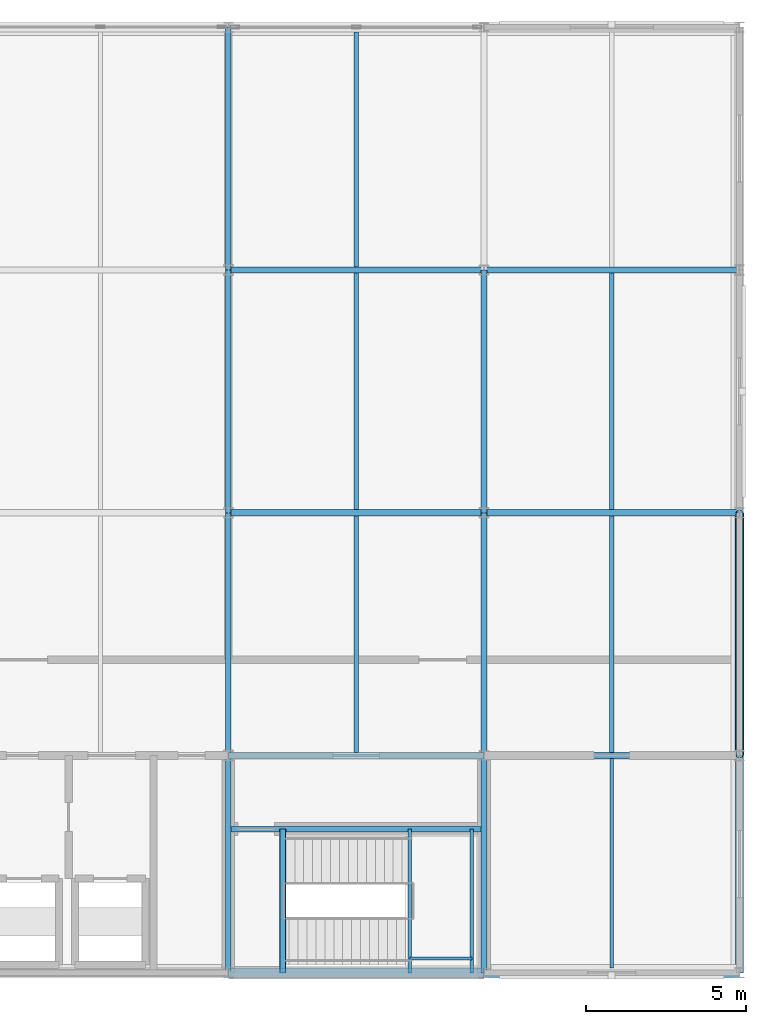
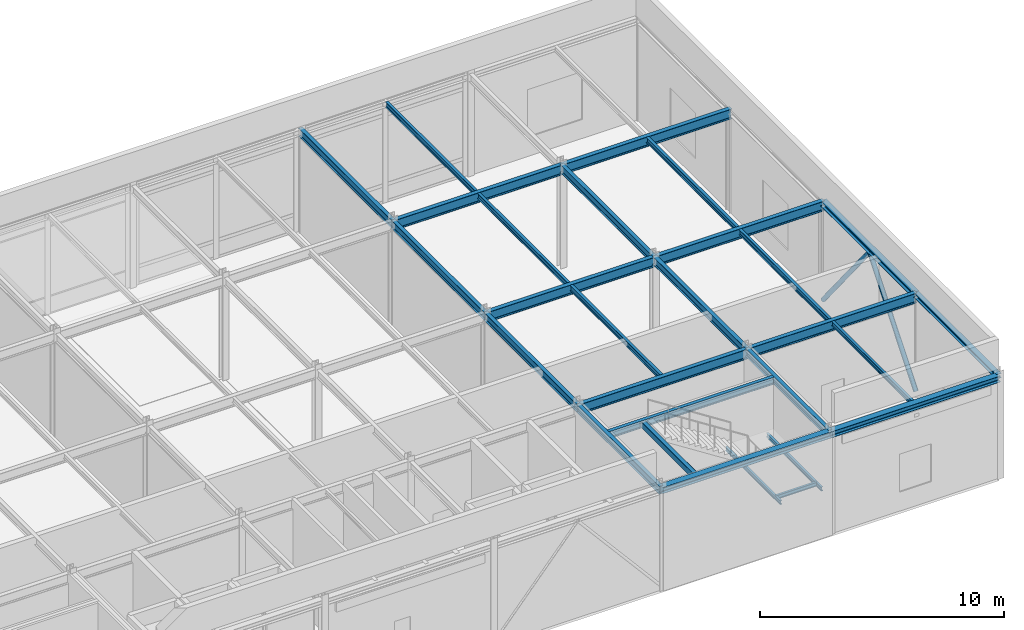
# One storey, part 6 of 12: 28 beams, 2 members.
"""IFC4 building model written with IfcOpenShell, lengths in metres."""

from ifc_helpers import new_model, si_unit, direction, frame, origin, origin_2d, place, context, subcontext, project, spatial, hollow_rectangle, hollow_circle, i_section, extrude, material, material_profile, profile_set, type_object, element, save


model = new_model("IFC4")

# Units and contexts
model_context = context("Model", 3, precision=1e-05, world=origin(), true_north=direction((0.0, 1.0)))
body_context = subcontext(model_context, "Body", "Model", "MODEL_VIEW")
ifc_project = project(units=[si_unit("LENGTHUNIT", "METRE"), si_unit("AREAUNIT", "SQUARE_METRE"), si_unit("VOLUMEUNIT", "CUBIC_METRE"), si_unit("PLANEANGLEUNIT", "RADIAN"), si_unit("MASSUNIT", "GRAM", prefix="KILO")], contexts=[model_context])

# Site, building, storey
site_placement = place(None, origin())
site = spatial("IfcSite", under=ifc_project, at=site_placement, CompositionType="ELEMENT")
building_placement = place(site_placement, origin())
building = spatial("IfcBuilding", under=site, at=building_placement, Name="Shalkamar Park Central Library", CompositionType="ELEMENT")
storey_placement = place(building_placement, frame((0.0, 0.0, 72.300048828125)))
storey = spatial("IfcBuildingStorey", under=building, at=storey_placement, Name="L18", CompositionType="ELEMENT", Elevation=72.300048828125)

# Beams
ifc_material = material(Name="Steel S355", Category="steel")
ifc_material_profile_1 = material_profile(ifc_material, i_section(OverallWidth=0.10009765625, OverallDepth=0.199951171875, WebThickness=0.005615234375, FlangeThickness=0.008544921875, FilletRadius=0.011962890625, at=origin_2d()), Name="IPE 200")
ifc_profile_set_1 = profile_set([ifc_material_profile_1], Name="Steel S355")
beam_type_1 = type_object("IfcBeamType", Name="Composite Floor Joist IPE200", PredefinedType="JOIST", material=ifc_profile_set_1)
for number, where, z_axis, x_axis, name in (
    (1, (202.679931640625, 248.39990234375, 2.320068359375), (0.0, 1.0, 0.0), (-1.0, 0.0, 0.0), "Stair Half-Landing Beam ST-T2-L18-1"),
    (2, (204.6201171875, 248.39990234375, 2.320068359375), (0.0, 1.0, 0.0), (-1.0, 0.0, 0.0), "Stair Half-Landing Beam ST-T2-L18-2"),
):
    element("IfcBeam", number, at=place(storey_placement, frame(where, z_axis=z_axis, x_axis=x_axis)), inside=storey, type_object=beam_type_1, Name=name, PredefinedType="JOIST", context=body_context, shape_type="SweptSolid", body=[
        extrude(i_section(OverallWidth=0.10009765625, OverallDepth=0.199951171875, WebThickness=0.005615234375, FlangeThickness=0.008544921875, FilletRadius=0.011962890625, at=origin_2d()), origin(), (0.0, 0.0, 1.0), 4.5),
    ])
beam_1_placement = place(storey_placement, frame((202.679931640625, 248.85009765625, 2.320068359375), z_axis=(1.0, 0.0, 0.0), x_axis=(0.0, 1.0, 0.0)))
element("IfcBeam", 3, at=beam_1_placement, inside=storey, type_object=beam_type_1, Name="Stair Half-Landing Cross Tie ST-T2-L18-3", PredefinedType="JOIST", context=body_context, shape_type="SweptSolid", body=[
    extrude(i_section(OverallWidth=0.10009765625, OverallDepth=0.199951171875, WebThickness=0.005615234375, FlangeThickness=0.008544921875, FilletRadius=0.011962890625, at=origin_2d()), origin(), (0.0, 0.0, 1.0), 1.940185546875),
])
ifc_material_profile_2 = material_profile(ifc_material, i_section(OverallWidth=0.1201171875, OverallDepth=0.239990234375, WebThickness=0.006103515625, FlangeThickness=0.009765625, FilletRadius=0.014892578125, at=origin_2d()), Name="IPE 240")
ifc_profile_set_2 = profile_set([ifc_material_profile_2], Name="Steel S355")
beam_type_2 = type_object("IfcBeamType", Name="Composite Floor Joist IPE240", PredefinedType="JOIST", material=ifc_profile_set_2)
beam_2_placement = place(storey_placement, frame((209.0, 248.548095703125, 5.030029296875), z_axis=(0.0, 1.0, 0.0), x_axis=(-1.0, 0.0, 0.0)))
element("IfcBeam", 4, at=beam_2_placement, inside=storey, type_object=beam_type_2, Name="Composite Joist 12/B-1 (L18)", PredefinedType="JOIST", context=body_context, shape_type="SweptSolid", body=[
    extrude(i_section(OverallWidth=0.1201171875, OverallDepth=0.239990234375, WebThickness=0.006103515625, FlangeThickness=0.009765625, FilletRadius=0.014892578125, at=origin_2d()), origin(), (0.0, 0.0, 1.0), 6.553955078125),
])
ifc_material_profile_3 = material_profile(ifc_material, i_section(OverallWidth=0.135009765625, OverallDepth=0.27001953125, WebThickness=0.006591796875, FlangeThickness=0.01025390625, FilletRadius=0.014892578125, at=origin_2d()), Name="IPE 270")
ifc_profile_set_3 = profile_set([ifc_material_profile_3], Name="Steel S355")
beam_type_3 = type_object("IfcBeamType", Name="Composite Floor Joist IPE270", PredefinedType="JOIST", material=ifc_profile_set_3)
beam_3_placement = place(storey_placement, frame((201.0, 255.298095703125, 5.014892578125), z_axis=(0.0, 1.0, 0.0), x_axis=(-1.0, 0.0, 0.0)))
element("IfcBeam", 5, at=beam_3_placement, inside=storey, type_object=beam_type_3, Name="Composite Joist 11/C-1 (L18)", PredefinedType="JOIST", context=body_context, shape_type="SweptSolid", body=[
    extrude(i_section(OverallWidth=0.135009765625, OverallDepth=0.27001953125, WebThickness=0.006591796875, FlangeThickness=0.01025390625, FilletRadius=0.014892578125, at=origin_2d()), origin(), (0.0, 0.0, 1.0), 7.40380859375),
])
beam_4_placement = place(storey_placement, frame((201.0, 262.89794921875, 5.014892578125), z_axis=(0.0, 1.0, 0.0), x_axis=(-1.0, 0.0, 0.0)))
element("IfcBeam", 6, at=beam_4_placement, inside=storey, type_object=beam_type_3, Name="Composite Joist 11/D-1 (L18)", PredefinedType="JOIST", context=body_context, shape_type="SweptSolid", body=[
    extrude(i_section(OverallWidth=0.135009765625, OverallDepth=0.27001953125, WebThickness=0.006591796875, FlangeThickness=0.01025390625, FilletRadius=0.014892578125, at=origin_2d()), origin(), (0.0, 0.0, 1.0), 7.404052734375),
])
beam_5_placement = place(storey_placement, frame((201.0, 270.498046875, 5.014892578125), z_axis=(0.0, 1.0, 0.0), x_axis=(-1.0, 0.0, 0.0)))
element("IfcBeam", 7, at=beam_5_placement, inside=storey, type_object=beam_type_3, Name="Composite Joist 11/E-1 (L18)", PredefinedType="JOIST", context=body_context, shape_type="SweptSolid", body=[
    extrude(i_section(OverallWidth=0.135009765625, OverallDepth=0.27001953125, WebThickness=0.006591796875, FlangeThickness=0.01025390625, FilletRadius=0.014892578125, at=origin_2d()), origin(), (0.0, 0.0, 1.0), 7.35400390625),
])
beam_6_placement = place(storey_placement, frame((209.0, 255.298095703125, 5.014892578125), z_axis=(0.0, 1.0, 0.0), x_axis=(-1.0, 0.0, 0.0)))
element("IfcBeam", 8, at=beam_6_placement, inside=storey, type_object=beam_type_3, Name="Composite Joist 12/C-1 (L18)", PredefinedType="JOIST", context=body_context, shape_type="SweptSolid", body=[
    extrude(i_section(OverallWidth=0.135009765625, OverallDepth=0.27001953125, WebThickness=0.006591796875, FlangeThickness=0.01025390625, FilletRadius=0.014892578125, at=origin_2d()), origin(), (0.0, 0.0, 1.0), 7.40380859375),
])
beam_7_placement = place(storey_placement, frame((209.0, 262.89794921875, 5.014892578125), z_axis=(0.0, 1.0, 0.0), x_axis=(-1.0, 0.0, 0.0)))
element("IfcBeam", 9, at=beam_7_placement, inside=storey, type_object=beam_type_3, Name="Composite Joist 12/D-1 (L18)", PredefinedType="JOIST", context=body_context, shape_type="SweptSolid", body=[
    extrude(i_section(OverallWidth=0.135009765625, OverallDepth=0.27001953125, WebThickness=0.006591796875, FlangeThickness=0.01025390625, FilletRadius=0.014892578125, at=origin_2d()), origin(), (0.0, 0.0, 1.0), 7.404052734375),
])

# Members
ifc_material_profile_4 = material_profile(ifc_material, hollow_circle(Radius=0.109619140625, WallThickness=0.010009765625, at=origin_2d()), Name="CHS 219.1x10")
ifc_profile_set_4 = profile_set([ifc_material_profile_4], Name="Steel S355")
member_type = type_object("IfcMemberType", Name="Diagonal Brace CHS219", PredefinedType="BRACE", material=ifc_profile_set_4)
for number, where, z_axis, x_axis, name in (
    (10, (213.0, 255.199951171875, 0.14990234375), (0.0, 0.628730984529, 0.777622883596), (-1.0, 0.0, 0.0), "Chevron Brace TW-E Leg A (L18)"),
    (11, (213.0, 262.800048828125, 0.14990234375), (0.0, -0.628730984529, 0.777622883596), (1.0, 0.0, 0.0), "Chevron Brace TW-E Leg B (L18)"),
):
    element("IfcMember", number, at=place(storey_placement, frame(where, z_axis=z_axis, x_axis=x_axis)), inside=storey, type_object=member_type, Name=name, PredefinedType="BRACE", context=body_context, shape_type="SweptSolid", body=[
        extrude(hollow_circle(Radius=0.109619140625, WallThickness=0.010009765625, at=origin_2d()), origin(), (0.0, 0.0, 1.0), 6.0439453125),
    ])

# Beams
ifc_material_profile_5 = material_profile(ifc_material, i_section(OverallWidth=0.239990234375, OverallDepth=0.22998046875, WebThickness=0.007568359375, FlangeThickness=0.011962890625, FilletRadius=0.02099609375, at=origin_2d()), Name="HEA 240")
ifc_profile_set_5 = profile_set([ifc_material_profile_5], Name="Steel S355")
beam_type_4 = type_object("IfcBeamType", Name="Perimeter Spandrel Beam HEA240", PredefinedType="SPANDREL", material=ifc_profile_set_5)
beam_8_placement = place(storey_placement, frame((213.0, 248.39990234375, 5.034912109375), z_axis=(0.0, 1.0, 0.0), x_axis=(-1.0, 0.0, 0.0)))
element("IfcBeam", 12, at=beam_8_placement, inside=storey, type_object=beam_type_4, Name="Beam 13:B-C (L18)", PredefinedType="SPANDREL", context=body_context, shape_type="SweptSolid", body=[
    extrude(i_section(OverallWidth=0.239990234375, OverallDepth=0.22998046875, WebThickness=0.007568359375, FlangeThickness=0.011962890625, FilletRadius=0.02099609375, at=origin_2d()), origin(), (0.0, 0.0, 1.0), 6.800048828125),
])
ifc_material_profile_6 = material_profile(ifc_material, i_section(OverallWidth=0.280029296875, OverallDepth=0.27001953125, WebThickness=0.008056640625, FlangeThickness=0.012939453125, FilletRadius=0.02392578125, at=origin_2d()), Name="HEA 280")
ifc_profile_set_6 = profile_set([ifc_material_profile_6], Name="Steel S355")
beam_type_5 = type_object("IfcBeamType", Name="Perimeter Spandrel Beam HEA280", PredefinedType="SPANDREL", material=ifc_profile_set_6)
beam_9_placement = place(storey_placement, frame((213.0, 255.199951171875, 5.014892578125), z_axis=(0.0, 1.0, 0.0), x_axis=(-1.0, 0.0, 0.0)))
element("IfcBeam", 13, at=beam_9_placement, inside=storey, type_object=beam_type_5, Name="Beam 13:C-D (L18)", PredefinedType="SPANDREL", context=body_context, shape_type="SweptSolid", body=[
    extrude(i_section(OverallWidth=0.280029296875, OverallDepth=0.27001953125, WebThickness=0.008056640625, FlangeThickness=0.012939453125, FilletRadius=0.02392578125, at=origin_2d()), origin(), (0.0, 0.0, 1.0), 7.60009765625),
])
ifc_material_profile_7 = material_profile(ifc_material, i_section(OverallWidth=0.300048828125, OverallDepth=0.31005859375, WebThickness=0.009033203125, FlangeThickness=0.015380859375, FilletRadius=0.027099609375, at=origin_2d()), Name="HEA 320")
ifc_profile_set_7 = profile_set([ifc_material_profile_7], Name="Steel S355")
beam_type_6 = type_object("IfcBeamType", Name="Perimeter Spandrel Beam HEA320", PredefinedType="SPANDREL", material=ifc_profile_set_7)
for number, where, z_axis, x_axis, name in (
    (14, (197.0, 248.39990234375, 4.994873046875), (1.0, 0.0, 0.0), (0.0, 1.0, 0.0), "Beam B:11-12 (L18)"),
    (15, (205.0, 248.39990234375, 4.994873046875), (1.0, 0.0, 0.0), (0.0, 1.0, 0.0), "Beam B:12-13 (L18)"),
):
    element("IfcBeam", number, at=place(storey_placement, frame(where, z_axis=z_axis, x_axis=x_axis)), inside=storey, type_object=beam_type_6, Name=name, PredefinedType="SPANDREL", context=body_context, shape_type="SweptSolid", body=[
        extrude(i_section(OverallWidth=0.300048828125, OverallDepth=0.31005859375, WebThickness=0.009033203125, FlangeThickness=0.015380859375, FilletRadius=0.027099609375, at=origin_2d()), origin(), (0.0, 0.0, 1.0), 8.0),
    ])
ifc_material_profile_8 = material_profile(ifc_material, i_section(OverallWidth=0.169921875, OverallDepth=0.360107421875, WebThickness=0.008056640625, FlangeThickness=0.0126953125, FilletRadius=0.01806640625, at=origin_2d()), Name="IPE 360")
ifc_profile_set_8 = profile_set([ifc_material_profile_8], Name="Steel S355")
beam_type_7 = type_object("IfcBeamType", Name="Primary Girder IPE360", PredefinedType="BEAM", material=ifc_profile_set_8)
beam_10_placement = place(storey_placement, frame((197.087890625, 252.89990234375, 4.969970703125), z_axis=(1.0, 0.0, 0.0), x_axis=(0.0, 1.0, 0.0)))
element("IfcBeam", 16, at=beam_10_placement, inside=storey, type_object=beam_type_7, Name="CORE-T2 Stairwell Divider Beam (L18)", PredefinedType="BEAM", context=body_context, shape_type="SweptSolid", body=[
    extrude(i_section(OverallWidth=0.169921875, OverallDepth=0.360107421875, WebThickness=0.008056640625, FlangeThickness=0.0126953125, FilletRadius=0.01806640625, at=origin_2d()), origin(), (0.0, 0.0, 1.0), 7.82421875),
])
ifc_material_profile_9 = material_profile(ifc_material, i_section(OverallWidth=0.179931640625, OverallDepth=0.39990234375, WebThickness=0.008544921875, FlangeThickness=0.013427734375, FilletRadius=0.02099609375, at=origin_2d()), Name="IPE 400")
ifc_profile_set_9 = profile_set([ifc_material_profile_9], Name="Steel S355")
beam_type_8 = type_object("IfcBeamType", Name="Primary Girder IPE400", PredefinedType="BEAM", material=ifc_profile_set_9)
beam_11_placement = place(storey_placement, frame((197.0, 248.39990234375, 4.949951171875), z_axis=(0.0, 1.0, 0.0), x_axis=(-1.0, 0.0, 0.0)))
element("IfcBeam", 17, at=beam_11_placement, inside=storey, type_object=beam_type_8, Name="Beam 11:B-C (L18)", PredefinedType="BEAM", context=body_context, shape_type="SweptSolid", body=[
    extrude(i_section(OverallWidth=0.179931640625, OverallDepth=0.39990234375, WebThickness=0.008544921875, FlangeThickness=0.013427734375, FilletRadius=0.02099609375, at=origin_2d()), origin(), (0.0, 0.0, 1.0), 6.800048828125),
])
beam_12_placement = place(storey_placement, frame((197.0, 255.199951171875, 4.949951171875), z_axis=(0.0, 1.0, 0.0), x_axis=(-1.0, 0.0, 0.0)))
element("IfcBeam", 18, at=beam_12_placement, inside=storey, type_object=beam_type_8, Name="Beam 11:C-D (L18)", PredefinedType="BEAM", context=body_context, shape_type="SweptSolid", body=[
    extrude(i_section(OverallWidth=0.179931640625, OverallDepth=0.39990234375, WebThickness=0.008544921875, FlangeThickness=0.013427734375, FilletRadius=0.02099609375, at=origin_2d()), origin(), (0.0, 0.0, 1.0), 7.60009765625),
])
beam_13_placement = place(storey_placement, frame((197.0, 262.800048828125, 4.949951171875), z_axis=(0.0, 1.0, 0.0), x_axis=(-1.0, 0.0, 0.0)))
element("IfcBeam", 19, at=beam_13_placement, inside=storey, type_object=beam_type_8, Name="Beam 11:D-E (L18)", PredefinedType="BEAM", context=body_context, shape_type="SweptSolid", body=[
    extrude(i_section(OverallWidth=0.179931640625, OverallDepth=0.39990234375, WebThickness=0.008544921875, FlangeThickness=0.013427734375, FilletRadius=0.02099609375, at=origin_2d()), origin(), (0.0, 0.0, 1.0), 7.599853515625),
])
beam_14_placement = place(storey_placement, frame((197.0, 270.39990234375, 4.949951171875), z_axis=(0.0, 1.0, 0.0), x_axis=(-1.0, 0.0, 0.0)))
element("IfcBeam", 20, at=beam_14_placement, inside=storey, type_object=beam_type_8, Name="Beam 11:E-F (L18)", PredefinedType="BEAM", context=body_context, shape_type="SweptSolid", body=[
    extrude(i_section(OverallWidth=0.179931640625, OverallDepth=0.39990234375, WebThickness=0.008544921875, FlangeThickness=0.013427734375, FilletRadius=0.02099609375, at=origin_2d()), origin(), (0.0, 0.0, 1.0), 7.60009765625),
])
beam_15_placement = place(storey_placement, frame((205.0, 248.39990234375, 4.949951171875), z_axis=(0.0, 1.0, 0.0), x_axis=(-1.0, 0.0, 0.0)))
element("IfcBeam", 21, at=beam_15_placement, inside=storey, type_object=beam_type_8, Name="Beam 12:B-C (L18)", PredefinedType="BEAM", context=body_context, shape_type="SweptSolid", body=[
    extrude(i_section(OverallWidth=0.179931640625, OverallDepth=0.39990234375, WebThickness=0.008544921875, FlangeThickness=0.013427734375, FilletRadius=0.02099609375, at=origin_2d()), origin(), (0.0, 0.0, 1.0), 6.800048828125),
])
beam_16_placement = place(storey_placement, frame((205.0, 255.199951171875, 4.949951171875), z_axis=(0.0, 1.0, 0.0), x_axis=(-1.0, 0.0, 0.0)))
element("IfcBeam", 22, at=beam_16_placement, inside=storey, type_object=beam_type_8, Name="Beam 12:C-D (L18)", PredefinedType="BEAM", context=body_context, shape_type="SweptSolid", body=[
    extrude(i_section(OverallWidth=0.179931640625, OverallDepth=0.39990234375, WebThickness=0.008544921875, FlangeThickness=0.013427734375, FilletRadius=0.02099609375, at=origin_2d()), origin(), (0.0, 0.0, 1.0), 7.60009765625),
])
beam_17_placement = place(storey_placement, frame((205.0, 262.800048828125, 4.949951171875), z_axis=(0.0, 1.0, 0.0), x_axis=(-1.0, 0.0, 0.0)))
element("IfcBeam", 23, at=beam_17_placement, inside=storey, type_object=beam_type_8, Name="Beam 12:D-E (L18)", PredefinedType="BEAM", context=body_context, shape_type="SweptSolid", body=[
    extrude(i_section(OverallWidth=0.179931640625, OverallDepth=0.39990234375, WebThickness=0.008544921875, FlangeThickness=0.013427734375, FilletRadius=0.02099609375, at=origin_2d()), origin(), (0.0, 0.0, 1.0), 7.599853515625),
])
ifc_material_profile_10 = material_profile(ifc_material, i_section(OverallWidth=0.199951171875, OverallDepth=0.5, WebThickness=0.01025390625, FlangeThickness=0.01611328125, FilletRadius=0.02099609375, at=origin_2d()), Name="IPE 500")
ifc_profile_set_10 = profile_set([ifc_material_profile_10], Name="Steel S355")
beam_type_9 = type_object("IfcBeamType", Name="Primary Girder IPE500", PredefinedType="BEAM", material=ifc_profile_set_10)
for number, where, z_axis, x_axis, name in (
    (24, (197.0, 255.199951171875, 4.89990234375), (1.0, 0.0, 0.0), (0.0, 1.0, 0.0), "Beam C:11-12 (L18)"),
    (25, (205.0, 255.199951171875, 4.89990234375), (1.0, 0.0, 0.0), (0.0, 1.0, 0.0), "Beam C:12-13 (L18)"),
    (26, (197.0, 262.800048828125, 4.89990234375), (1.0, 0.0, 0.0), (0.0, 1.0, 0.0), "Beam D:11-12 (L18)"),
    (27, (205.0, 262.800048828125, 4.89990234375), (1.0, 0.0, 0.0), (0.0, 1.0, 0.0), "Beam D:12-13 (L18)"),
    (28, (197.0, 270.39990234375, 4.89990234375), (1.0, 0.0, 0.0), (0.0, 1.0, 0.0), "Beam E:11-12 (L18)"),
    (29, (205.0, 270.39990234375, 4.89990234375), (1.0, 0.0, 0.0), (0.0, 1.0, 0.0), "Beam E:12-13 (L18)"),
):
    element("IfcBeam", number, at=place(storey_placement, frame(where, z_axis=z_axis, x_axis=x_axis)), inside=storey, type_object=beam_type_9, Name=name, PredefinedType="BEAM", context=body_context, shape_type="SweptSolid", body=[
        extrude(i_section(OverallWidth=0.199951171875, OverallDepth=0.5, WebThickness=0.01025390625, FlangeThickness=0.01611328125, FilletRadius=0.02099609375, at=origin_2d()), origin(), (0.0, 0.0, 1.0), 8.0),
    ])
ifc_material_profile_11 = material_profile(ifc_material, hollow_rectangle(XDim=0.199951171875, YDim=0.300048828125, WallThickness=0.011962890625, InnerFilletRadius=0.011962890625, OuterFilletRadius=0.01806640625, at=origin_2d()), Name="RHS 300x200x12")
ifc_profile_set_11 = profile_set([ifc_material_profile_11], Name="Steel S355")
beam_type_10 = type_object("IfcBeamType", Name="Stair Trimmer Box RHS300x200", PredefinedType="BEAM", material=ifc_profile_set_11)
beam_18_placement = place(storey_placement, frame((198.699951171875, 248.39990234375, 4.969970703125), z_axis=(0.0, 1.0, 0.0), x_axis=(-1.0, 0.0, 0.0)))
element("IfcBeam", 30, at=beam_18_placement, inside=storey, type_object=beam_type_10, Name="Stair Arrival Trimmer Girder ST-T2-L18", PredefinedType="BEAM", context=body_context, shape_type="SweptSolid", body=[
    extrude(hollow_rectangle(XDim=0.199951171875, YDim=0.300048828125, WallThickness=0.011962890625, InnerFilletRadius=0.011962890625, OuterFilletRadius=0.01806640625, at=origin_2d()), origin(), (0.0, 0.0, 1.0), 4.5),
])

save(model, "model.ifc")
